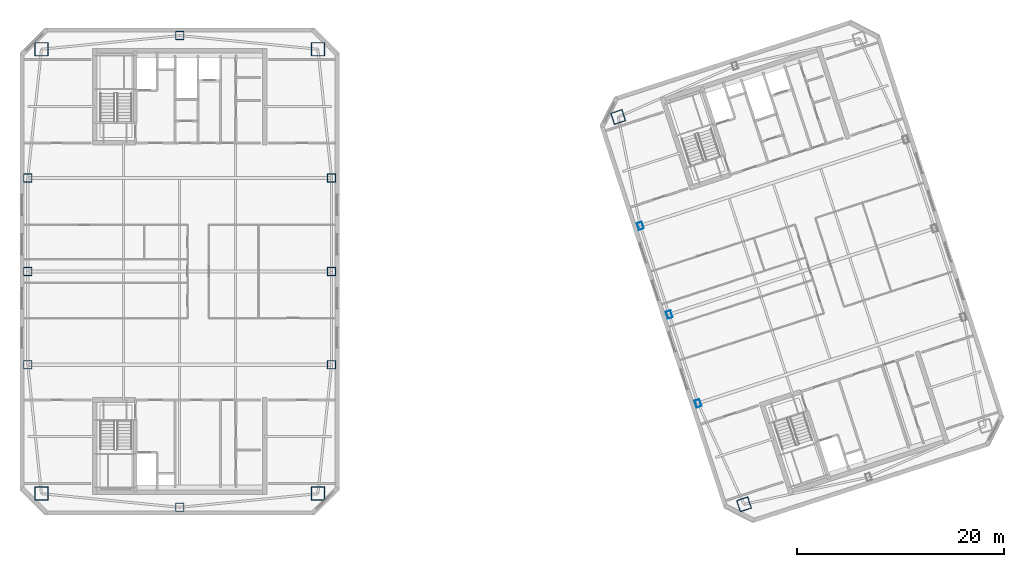
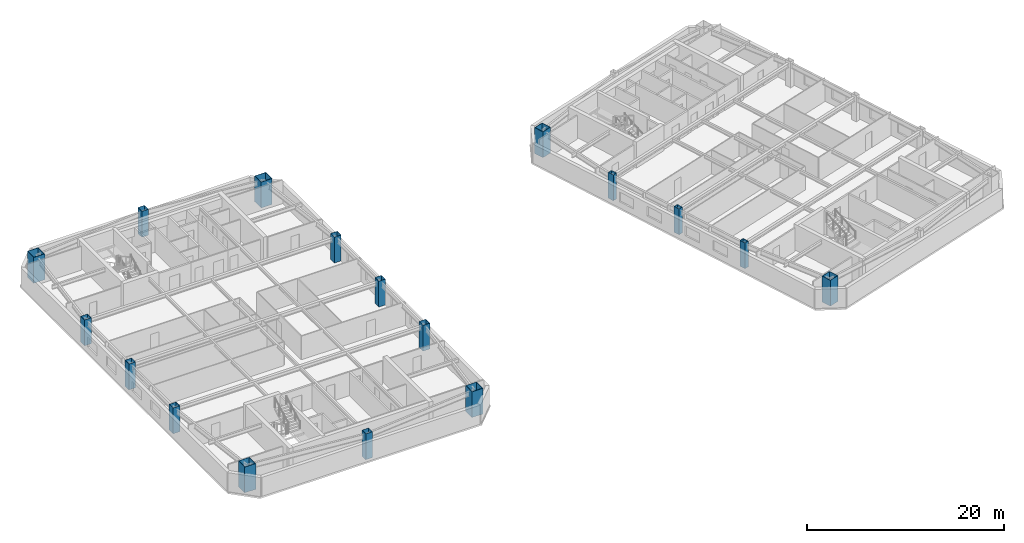
# One storey, part 1 of 20: 17 columns.
"""IFC4 building model written with IfcOpenShell, lengths in metres."""

from ifc_helpers import new_model, si_unit, direction, frame, origin, origin_2d, place, context, subcontext, project, spatial, hollow_rectangle, extrude, material, material_profile, profile_set, type_object, element, save


model = new_model("IFC4")

# Units and contexts
model_context = context("Model", 3, precision=1e-05, world=origin(), true_north=direction((0.0, 1.0)))
body_context = subcontext(model_context, "Body", "Model", "MODEL_VIEW")
ifc_project = project(units=[si_unit("LENGTHUNIT", "METRE"), si_unit("AREAUNIT", "SQUARE_METRE"), si_unit("VOLUMEUNIT", "CUBIC_METRE"), si_unit("PLANEANGLEUNIT", "RADIAN"), si_unit("MASSUNIT", "GRAM", prefix="KILO")], contexts=[model_context])

# Site, building, storey
site_placement = place(None, origin())
site = spatial("IfcSite", under=ifc_project, at=site_placement, CompositionType="ELEMENT")
building_placement = place(site_placement, origin())
building = spatial("IfcBuilding", under=site, at=building_placement, Name="Qiaolan Cultural Towers", CompositionType="ELEMENT")
storey_placement = place(building_placement, frame((0.0, 0.0, 244.0)))
storey = spatial("IfcBuildingStorey", under=building, at=storey_placement, Name="L66", CompositionType="ELEMENT", Elevation=244.0)

# Columns
ifc_material_1 = material(Name="Steel Q390GJB", Category="steel")
ifc_material_profile_1 = material_profile(ifc_material_1, hollow_rectangle(XDim=1.14990234375, YDim=1.14990234375, WallThickness=0.0400390625, at=origin_2d()), Name="BOX1150x1150x40")
ifc_profile_set_1 = profile_set([ifc_material_profile_1], Name="Steel Q390GJB")
column_type_1 = type_object("IfcColumnType", Name="COL-BOX1150x1150x40", PredefinedType="COLUMN", material=ifc_profile_set_1)
for number, where, z_axis, x_axis, name in (
    (1, (84.42822265625, 11.538818359375, 0.0), (0.0, 0.0, 1.0), (0.951056516295, 0.309016994375, 0.0), "L66 T2 Perimeter Column MC-SW"),
    (2, (72.2900390625, 48.896484375, 0.0), (0.0, 0.0, 1.0), (0.951056516295, 0.309016994375, 0.0), "L66 T2 Perimeter Column MC-NW"),
):
    element("IfcColumn", number, at=place(storey_placement, frame(where, z_axis=z_axis, x_axis=x_axis)), inside=storey, type_object=column_type_1, Name=name, PredefinedType="COLUMN", context=body_context, shape_type="SweptSolid", body=[
        extrude(hollow_rectangle(XDim=1.14990234375, YDim=1.14990234375, WallThickness=0.0400390625, at=origin_2d()), origin(), (0.0, 0.0, 1.0), 3.200927734375),
    ])
ifc_material_2 = material(Name="Steel Q390GJB", Category="steel")
ifc_material_profile_2 = material_profile(ifc_material_2, hollow_rectangle(XDim=1.300048828125, YDim=1.300048828125, WallThickness=0.044921875, at=origin_2d()), Name="BOX1300x1300x45")
ifc_profile_set_2 = profile_set([ifc_material_profile_2], Name="Steel Q390GJB")
column_type_2 = type_object("IfcColumnType", Name="COL-BOX1300x1300x45", PredefinedType="COLUMN", material=ifc_profile_set_2)
for number, where, z_axis, x_axis, name in (
    (3, (16.669921875, 12.570068359375, 0.0), (0.0, 0.0, 1.0), (1.0, 0.0, 0.0), "L66 T1 Perimeter Column MC-SW"),
    (4, (43.330078125, 12.570068359375, 0.0), (0.0, 0.0, 1.0), (1.0, 0.0, 0.0), "L66 T1 Perimeter Column MC-SE"),
    (5, (43.330078125, 55.429931640625, 0.0), (0.0, 0.0, 1.0), (1.0, 0.0, 0.0), "L66 T1 Perimeter Column MC-NE"),
    (6, (16.669921875, 55.429931640625, 0.0), (0.0, 0.0, 1.0), (1.0, 0.0, 0.0), "L66 T1 Perimeter Column MC-NW"),
):
    element("IfcColumn", number, at=place(storey_placement, frame(where, z_axis=z_axis, x_axis=x_axis)), inside=storey, type_object=column_type_2, Name=name, PredefinedType="COLUMN", context=body_context, shape_type="SweptSolid", body=[
        extrude(hollow_rectangle(XDim=1.300048828125, YDim=1.300048828125, WallThickness=0.044921875, at=origin_2d()), origin(), (0.0, 0.0, 1.0), 3.200927734375),
    ])
ifc_material_3 = material(Name="Steel Q355B", Category="steel")
ifc_material_profile_3 = material_profile(ifc_material_3, hollow_rectangle(XDim=0.5, YDim=0.699951171875, WallThickness=0.02490234375, at=origin_2d()), Name="BOX700x500x25")
ifc_profile_set_3 = profile_set([ifc_material_profile_3], Name="Steel Q355B")
column_type_3 = type_object("IfcColumnType", Name="COL-BOX700x500x25", PredefinedType="COLUMN", material=ifc_profile_set_3)
for number, where, z_axis, x_axis, name in (
    (7, (79.989501953125, 21.2841796875, 0.0), (0.0, 0.0, 1.0), (0.951056516295, 0.309016994375, 0.0), "L66 T2 Perimeter Column PC-W1"),
    (8, (77.208251953125, 29.84375, 0.0), (0.0, 0.0, 1.0), (0.951056516295, 0.309016994375, 0.0), "L66 T2 Perimeter Column PC-W2"),
    (9, (74.42724609375, 38.4033203125, 0.0), (0.0, 0.0, 1.0), (0.951056516295, 0.309016994375, 0.0), "L66 T2 Perimeter Column PC-W3"),
):
    element("IfcColumn", number, at=place(storey_placement, frame(where, z_axis=z_axis, x_axis=x_axis)), inside=storey, type_object=column_type_3, Name=name, PredefinedType="COLUMN", context=body_context, shape_type="SweptSolid", body=[
        extrude(hollow_rectangle(XDim=0.5, YDim=0.699951171875, WallThickness=0.02490234375, at=origin_2d()), origin(), (0.0, 0.0, 1.0), 3.200927734375),
    ])
ifc_material_4 = material(Name="Steel Q355B", Category="steel")
ifc_material_profile_4 = material_profile(ifc_material_4, hollow_rectangle(XDim=0.800048828125, YDim=0.800048828125, WallThickness=0.028076171875, at=origin_2d()), Name="BOX800x800x28")
ifc_profile_set_4 = profile_set([ifc_material_profile_4], Name="Steel Q355B")
column_type_4 = type_object("IfcColumnType", Name="COL-BOX800x800x28", PredefinedType="COLUMN", material=ifc_profile_set_4)
for number, where, z_axis, x_axis, name in (
    (10, (15.35009765625, 25.0, 0.0), (0.0, 0.0, 1.0), (1.0, 0.0, 0.0), "L66 T1 Perimeter Column PC-W1"),
    (11, (15.35009765625, 34.0, 0.0), (0.0, 0.0, 1.0), (1.0, 0.0, 0.0), "L66 T1 Perimeter Column PC-W2"),
    (12, (15.35009765625, 43.0, 0.0), (0.0, 0.0, 1.0), (1.0, 0.0, 0.0), "L66 T1 Perimeter Column PC-W3"),
    (13, (44.64990234375, 25.0, 0.0), (0.0, 0.0, 1.0), (1.0, 0.0, 0.0), "L66 T1 Perimeter Column PC-E1"),
    (14, (44.64990234375, 34.0, 0.0), (0.0, 0.0, 1.0), (1.0, 0.0, 0.0), "L66 T1 Perimeter Column PC-E2"),
    (15, (44.64990234375, 43.0, 0.0), (0.0, 0.0, 1.0), (1.0, 0.0, 0.0), "L66 T1 Perimeter Column PC-E3"),
    (16, (30.0, 11.25, 0.0), (0.0, 0.0, 1.0), (1.0, 0.0, 0.0), "L66 T1 Perimeter Column PC-S0"),
    (17, (30.0, 56.75, 0.0), (0.0, 0.0, 1.0), (1.0, 0.0, 0.0), "L66 T1 Perimeter Column PC-N0"),
):
    element("IfcColumn", number, at=place(storey_placement, frame(where, z_axis=z_axis, x_axis=x_axis)), inside=storey, type_object=column_type_4, Name=name, PredefinedType="COLUMN", context=body_context, shape_type="SweptSolid", body=[
        extrude(hollow_rectangle(XDim=0.800048828125, YDim=0.800048828125, WallThickness=0.028076171875, at=origin_2d()), origin(), (0.0, 0.0, 1.0), 3.200927734375),
    ])

save(model, "model.ifc")
